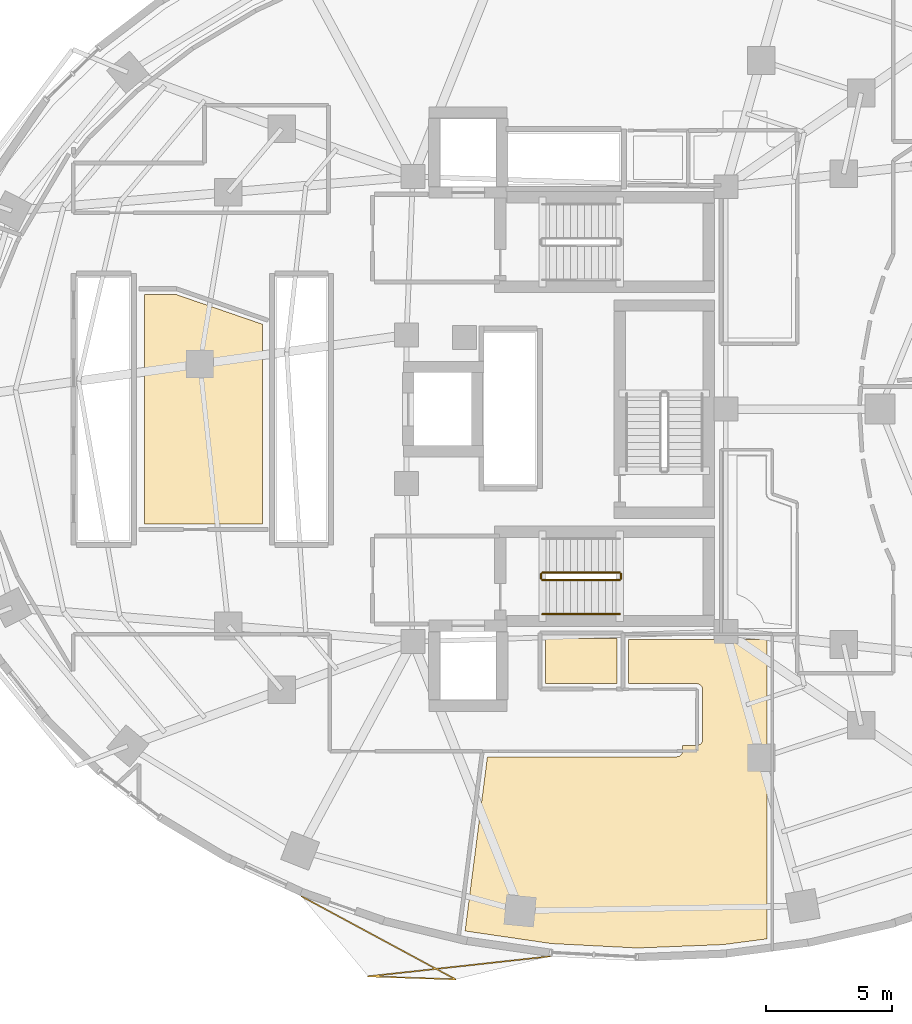
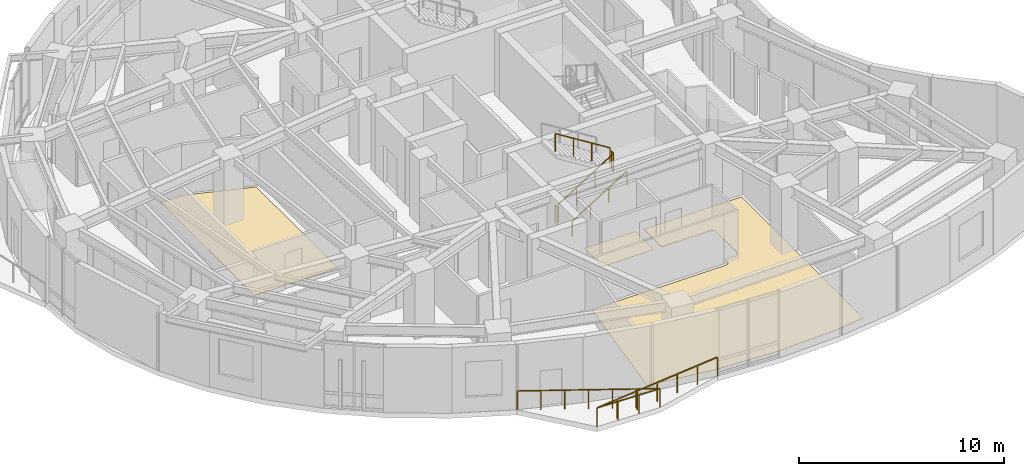
# One storey, part 13 of 15: 6 railings, 3 coverings.
"""IFC4 building model written with IfcOpenShell, lengths in metres."""

from ifc_helpers import new_model, si_unit, direction, frame, origin, origin_2d, place, context, subcontext, project, spatial, polyline, rectangle, outline, extrude, material, layer, layer_set, type_object, element, save


model = new_model("IFC4")

# Units and contexts
model_context = context("Model", 3, precision=1e-05, world=origin(), true_north=direction((0.0, 1.0)))
body_context = subcontext(model_context, "Body", "Model", "MODEL_VIEW")
ifc_project = project(units=[si_unit("LENGTHUNIT", "METRE"), si_unit("AREAUNIT", "SQUARE_METRE"), si_unit("VOLUMEUNIT", "CUBIC_METRE"), si_unit("PLANEANGLEUNIT", "RADIAN"), si_unit("MASSUNIT", "GRAM", prefix="KILO")], contexts=[model_context])

# Site, building, storey
site_placement = place(None, origin())
site = spatial("IfcSite", under=ifc_project, at=site_placement, CompositionType="ELEMENT")
building_placement = place(site_placement, origin())
building = spatial("IfcBuilding", under=site, at=building_placement, Name="Korentha Bioscience Tower", CompositionType="ELEMENT")
storey_placement = place(building_placement, frame((0.0, 0.0, 127.800048828125)))
storey = spatial("IfcBuildingStorey", under=building, at=storey_placement, Name="L29", CompositionType="ELEMENT", Elevation=127.800048828125)

# Railings
ifc_material_1 = material(Name="Stainless Steel 304", Category="steel")
railing_type_1 = type_object("IfcRailingType", Name="Brushed Stainless Stair Handrail 900", PredefinedType="HANDRAIL", material=ifc_material_1)
railing_1_placement = place(storey_placement, frame((30.25, 18.85009765625, 0.175048828125)))
element("IfcRailing", 1, at=railing_1_placement, inside=storey, type_object=railing_type_1, Name="L29 ST-2 stair handrail 1", PredefinedType="HANDRAIL", context=body_context, shape_type="SweptSolid", body=[
    extrude(rectangle(XDim=0.048095703125, YDim=0.048095703125, at=origin_2d()), frame((0.0, 0.0, 0.8759765625), z_axis=(0.848028513186, 0.0, 0.529950602248), x_axis=(0.0, 1.0, 0.0)), (0.0, 0.0, 1.0), 3.632080078125),
    extrude(rectangle(XDim=0.0419921875, YDim=0.0419921875, at=origin_2d()), origin(), (0.0, 0.0, 1.0), 0.851806640625),
    extrude(rectangle(XDim=0.0419921875, YDim=0.0419921875, at=origin_2d()), frame((1.026611328125, 0.0, 0.6416015625)), (0.0, 0.0, 1.0), 0.851806640625),
    extrude(rectangle(XDim=0.0419921875, YDim=0.0419921875, at=origin_2d()), frame((2.053466796875, 0.0, 1.283203125)), (0.0, 0.0, 1.0), 0.851806640625),
    extrude(rectangle(XDim=0.0419921875, YDim=0.0419921875, at=origin_2d()), frame((3.080078125, 0.0, 1.9248046875)), (0.0, 0.0, 1.0), 0.851806640625),
])
ifc_material_2 = material(Name="Laminated Tempered Safety Glass", Category="glass")
railing_type_2 = type_object("IfcRailingType", Name="Laminated Glass Balcony Guardrail 1150", PredefinedType="BALUSTRADE", material=ifc_material_2)
railing_2_placement = place(storey_placement, frame((20.66650390625, 7.62109375, 0.0)))
element("IfcRailing", 2, at=railing_2_placement, inside=storey, type_object=railing_type_2, Name="L29 Balcony Guardrail 03", PredefinedType="BALUSTRADE", context=body_context, shape_type="SweptSolid", body=[
    extrude(rectangle(XDim=0.048095703125, YDim=0.048095703125, at=origin_2d()), frame((0.0, 0.0, 1.1259765625), z_axis=(0.880340587616, -0.474342123151, 0.0), x_axis=(0.474342123151, 0.880340587616, 0.0)), (0.0, 0.0, 1.0), 6.969482421875),
    extrude(rectangle(XDim=0.048095703125, YDim=0.048095703125, at=origin_2d()), frame((6.135498046875, -3.305908203125, 1.1259765625), z_axis=(-0.999404081372, 0.034517852442, 0.0), x_axis=(-0.034517852442, -0.999404081372, 0.0)), (0.0, 0.0, 1.0), 3.479736328125),
    extrude(rectangle(XDim=0.048095703125, YDim=0.048095703125, at=origin_2d()), frame((2.65771484375, -3.185791015625, 1.1259765625), z_axis=(0.993998557505, 0.109393179306, 0.0), x_axis=(-0.109393179306, 0.993998557505, 0.0)), (0.0, 0.0, 1.0), 7.27783203125),
    extrude(rectangle(XDim=0.0419921875, YDim=0.0419921875, at=origin_2d()), origin(), (0.0, 0.0, 1.0), 1.101806640625),
    extrude(rectangle(XDim=0.0419921875, YDim=0.0419921875, at=origin_2d()), frame((1.0224609375, -0.551025390625, 0.0)), (0.0, 0.0, 1.0), 1.101806640625),
    extrude(rectangle(XDim=0.0419921875, YDim=0.0419921875, at=origin_2d()), frame((2.045166015625, -1.10205078125, 0.0)), (0.0, 0.0, 1.0), 1.101806640625),
    extrude(rectangle(XDim=0.0419921875, YDim=0.0419921875, at=origin_2d()), frame((3.06787109375, -1.65283203125, 0.0)), (0.0, 0.0, 1.0), 1.101806640625),
    extrude(rectangle(XDim=0.0419921875, YDim=0.0419921875, at=origin_2d()), frame((4.09033203125, -2.203857421875, 0.0)), (0.0, 0.0, 1.0), 1.101806640625),
    extrude(rectangle(XDim=0.0419921875, YDim=0.0419921875, at=origin_2d()), frame((5.11279296875, -2.7548828125, 0.0)), (0.0, 0.0, 1.0), 1.101806640625),
    extrude(rectangle(XDim=0.0419921875, YDim=0.0419921875, at=origin_2d()), frame((6.135498046875, -3.305908203125, 0.0)), (0.0, 0.0, 1.0), 1.101806640625),
    extrude(rectangle(XDim=0.0419921875, YDim=0.0419921875, at=origin_2d()), frame((4.976318359375, -3.265869140625, 0.0)), (0.0, 0.0, 1.0), 1.101806640625),
    extrude(rectangle(XDim=0.0419921875, YDim=0.0419921875, at=origin_2d()), frame((3.81689453125, -3.225830078125, 0.0)), (0.0, 0.0, 1.0), 1.101806640625),
    extrude(rectangle(XDim=0.0419921875, YDim=0.0419921875, at=origin_2d()), frame((2.65771484375, -3.185791015625, 0.0)), (0.0, 0.0, 1.0), 1.101806640625),
    extrude(rectangle(XDim=0.0419921875, YDim=0.0419921875, at=origin_2d()), frame((3.86328125, -3.05322265625, 0.0)), (0.0, 0.0, 1.0), 1.101806640625),
    extrude(rectangle(XDim=0.0419921875, YDim=0.0419921875, at=origin_2d()), frame((5.069091796875, -2.92041015625, 0.0)), (0.0, 0.0, 1.0), 1.101806640625),
    extrude(rectangle(XDim=0.0419921875, YDim=0.0419921875, at=origin_2d()), frame((6.27490234375, -2.78759765625, 0.0)), (0.0, 0.0, 1.0), 1.101806640625),
    extrude(rectangle(XDim=0.0419921875, YDim=0.0419921875, at=origin_2d()), frame((7.48046875, -2.655029296875, 0.0)), (0.0, 0.0, 1.0), 1.101806640625),
    extrude(rectangle(XDim=0.0419921875, YDim=0.0419921875, at=origin_2d()), frame((8.68603515625, -2.5224609375, 0.0)), (0.0, 0.0, 1.0), 1.101806640625),
    extrude(rectangle(XDim=0.0419921875, YDim=0.0419921875, at=origin_2d()), frame((9.891845703125, -2.3896484375, 0.0)), (0.0, 0.0, 1.0), 1.101806640625),
])
ifc_material_3 = material(Name="Painted Steel S275", Category="steel")
railing_type_3 = type_object("IfcRailingType", Name="Painted Steel Stair Well Guardrail 1100", PredefinedType="GUARDRAIL", material=ifc_material_3)
railing_3_placement = place(storey_placement, frame((30.25, 20.199951171875, 0.175048828125)))
element("IfcRailing", 3, at=railing_3_placement, inside=storey, type_object=railing_type_3, Name="L29 ST-2 stair guard 1", PredefinedType="GUARDRAIL", context=body_context, shape_type="SweptSolid", body=[
    extrude(rectangle(XDim=0.048095703125, YDim=0.048095703125, at=origin_2d()), frame((0.0, 0.0, 1.076171875), z_axis=(0.848028513186, 0.0, 0.529950602248), x_axis=(0.0, 1.0, 0.0)), (0.0, 0.0, 1.0), 3.632080078125),
    extrude(rectangle(XDim=0.0419921875, YDim=0.0419921875, at=origin_2d()), origin(), (0.0, 0.0, 1.0), 1.052001953125),
    extrude(rectangle(XDim=0.0419921875, YDim=0.0419921875, at=origin_2d()), frame((1.026611328125, 0.0, 0.6416015625)), (0.0, 0.0, 1.0), 1.052001953125),
    extrude(rectangle(XDim=0.0419921875, YDim=0.0419921875, at=origin_2d()), frame((2.053466796875, 0.0, 1.283203125)), (0.0, 0.0, 1.0), 1.052001953125),
    extrude(rectangle(XDim=0.0419921875, YDim=0.0419921875, at=origin_2d()), frame((3.080078125, 0.0, 1.9248046875)), (0.0, 0.0, 1.0), 1.052001953125),
])
railing_4_placement = place(storey_placement, frame((33.3798828125, 20.25, 2.099853515625)))
element("IfcRailing", 4, at=railing_4_placement, inside=storey, type_object=railing_type_3, Name="L29 ST-2 stair guard 2", PredefinedType="GUARDRAIL", context=body_context, shape_type="SweptSolid", body=[
    extrude(rectangle(XDim=0.048095703125, YDim=0.048095703125, at=origin_2d()), frame((0.0, 0.0, 1.076171875), z_axis=(0.0, 1.0, 0.0), x_axis=(-1.0, 0.0, 0.0)), (0.0, 0.0, 1.0), 0.199951171875),
    extrude(rectangle(XDim=0.0419921875, YDim=0.0419921875, at=origin_2d()), origin(), (0.0, 0.0, 1.0), 1.052001953125),
    extrude(rectangle(XDim=0.0419921875, YDim=0.0419921875, at=origin_2d()), frame((0.0, 0.199951171875, 0.0)), (0.0, 0.0, 1.0), 1.052001953125),
])
railing_5_placement = place(storey_placement, frame((33.330078125, 20.5, 2.27490234375)))
element("IfcRailing", 5, at=railing_5_placement, inside=storey, type_object=railing_type_3, Name="L29 ST-2 stair guard 3", PredefinedType="GUARDRAIL", context=body_context, shape_type="SweptSolid", body=[
    extrude(rectangle(XDim=0.048095703125, YDim=0.048095703125, at=origin_2d()), frame((0.0, 0.0, 1.076171875), z_axis=(-0.847998304005, 0.0, 0.529998940003), x_axis=(0.0, -1.0, 0.0)), (0.0, 0.0, 1.0), 3.632080078125),
    extrude(rectangle(XDim=0.0419921875, YDim=0.0419921875, at=origin_2d()), origin(), (0.0, 0.0, 1.0), 1.052001953125),
    extrude(rectangle(XDim=0.0419921875, YDim=0.0419921875, at=origin_2d()), frame((-1.026611328125, 0.0, 0.6416015625)), (0.0, 0.0, 1.0), 1.052001953125),
    extrude(rectangle(XDim=0.0419921875, YDim=0.0419921875, at=origin_2d()), frame((-2.053466796875, 0.0, 1.283447265625)), (0.0, 0.0, 1.0), 1.052001953125),
    extrude(rectangle(XDim=0.0419921875, YDim=0.0419921875, at=origin_2d()), frame((-3.080078125, 0.0, 1.925048828125)), (0.0, 0.0, 1.0), 1.052001953125),
])
railing_6_placement = place(storey_placement, frame((30.199951171875, 20.25, 0.0)))
element("IfcRailing", 6, at=railing_6_placement, inside=storey, type_object=railing_type_3, Name="L29 ST-2 stair guard 4", PredefinedType="GUARDRAIL", context=body_context, shape_type="SweptSolid", body=[
    extrude(rectangle(XDim=0.048095703125, YDim=0.048095703125, at=origin_2d()), frame((0.0, 0.0, 1.076171875), z_axis=(0.0, 1.0, 0.0), x_axis=(-1.0, 0.0, 0.0)), (0.0, 0.0, 1.0), 0.199951171875),
    extrude(rectangle(XDim=0.0419921875, YDim=0.0419921875, at=origin_2d()), origin(), (0.0, 0.0, 1.0), 1.052001953125),
    extrude(rectangle(XDim=0.0419921875, YDim=0.0419921875, at=origin_2d()), frame((0.0, 0.199951171875, 0.0)), (0.0, 0.0, 1.0), 1.052001953125),
])

# Coverings
ifc_material_4 = material(Name="Chemical-Resistant Epoxy Resin", Category="polymer")
ifc_layer = layer(ifc_material_4, 0.011962890625, Name="Chemical-Resistant Epoxy Resin")
ifc_layer_set = layer_set([ifc_layer], Name="Chemical-Resistant Epoxy Resin (FL-EPX)")
covering_type = type_object("IfcCoveringType", Name="Seamless Epoxy Laboratory Flooring 12", PredefinedType="FLOORING", material=ifc_layer_set)
covering_1_placement = place(storey_placement, origin())
element("IfcCovering", 7, at=covering_1_placement, inside=storey, type_object=covering_type, Name="L29 Core Instrumentation and Gas Store Floor Finish", PredefinedType="FLOORING", context=body_context, shape_type="SweptSolid", body=[
    extrude(outline(polyline([(30.3701171875, 16.080078125), (30.3701171875, 17.8701171875), (33.22998046875, 17.8701171875), (33.22998046875, 16.080078125), (30.3701171875, 16.080078125)])), origin(), (0.0, 0.0, 1.0), 0.011962890625),
])
covering_2_placement = place(storey_placement, origin())
element("IfcCovering", 8, at=covering_2_placement, inside=storey, type_object=covering_type, Name="L29 Biospecimen Archive Store 01 Floor Finish", PredefinedType="FLOORING", context=body_context, shape_type="SweptSolid", body=[
    extrude(outline(polyline([(14.422119140625, 22.429931640625), (14.422119140625, 31.570068359375), (15.653564453125, 31.570068359375), (19.119873046875, 30.37646484375), (19.1201171875, 22.429931640625), (14.422119140625, 22.429931640625)])), origin(), (0.0, 0.0, 1.0), 0.011962890625),
])
covering_3_placement = place(storey_placement, origin())
element("IfcCovering", 9, at=covering_3_placement, inside=storey, type_object=covering_type, Name="L29 Principal Investigator Office 03 Floor Finish", PredefinedType="FLOORING", context=body_context, shape_type="SweptSolid", body=[
    extrude(outline(polyline([(28.06591796875, 13.169189453125), (35.60009765625, 13.169921875), (35.697998046875, 13.19189453125), (35.77001953125, 13.2451171875), (35.816650390625, 13.322998046875), (35.830078125, 13.6201171875), (36.43408203125, 13.62255859375), (36.55419921875, 13.67919921875), (36.61669921875, 13.77294921875), (36.6298828125, 13.85009765625), (36.6298828125, 15.85009765625), (36.608154296875, 15.947998046875), (36.518798828125, 16.047119140625), (36.410888671875, 16.07958984375), (33.679931640625, 16.080078125), (33.679931640625, 17.827880859375), (39.177978515625, 17.827880859375), (39.177978515625, 5.927001953125), (37.456298828125, 5.699462890625), (34.030517578125, 5.563232421875), (30.608154296875, 5.739501953125), (27.17822265625, 6.24072265625), (28.06591796875, 13.169189453125)])), origin(), (0.0, 0.0, 1.0), 0.011962890625),
])

save(model, "model.ifc")
